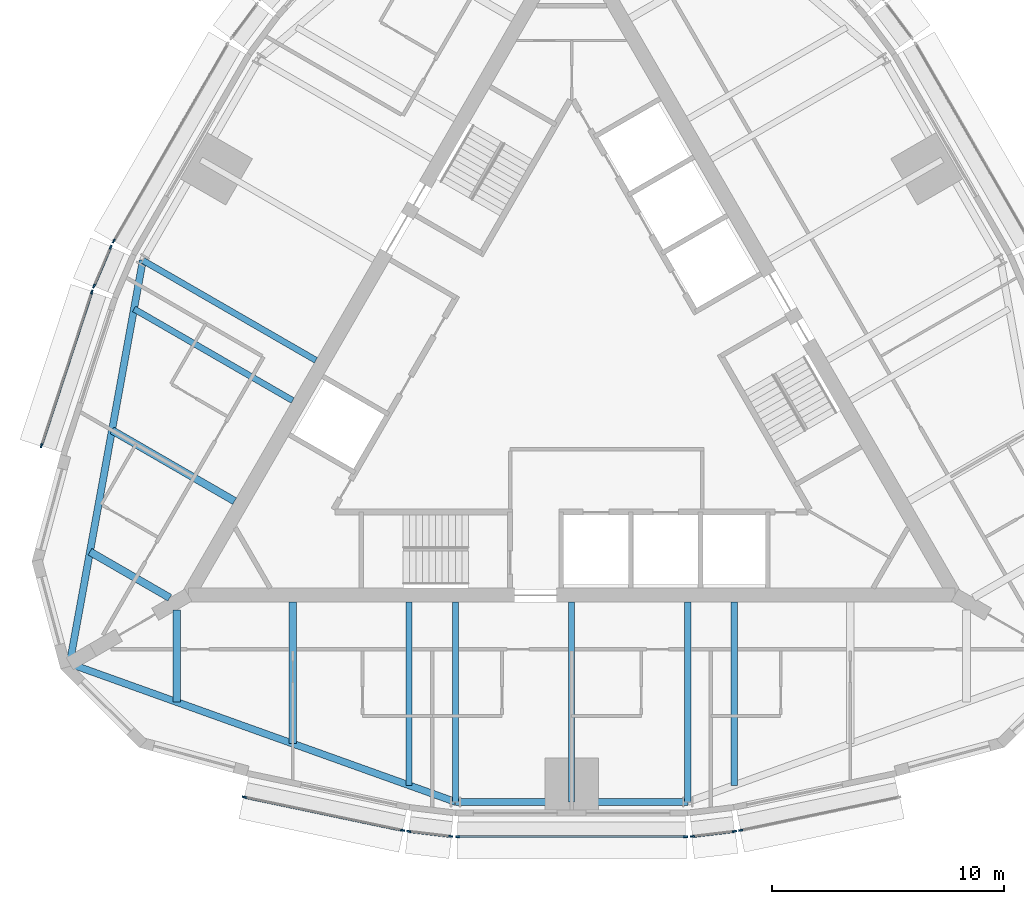
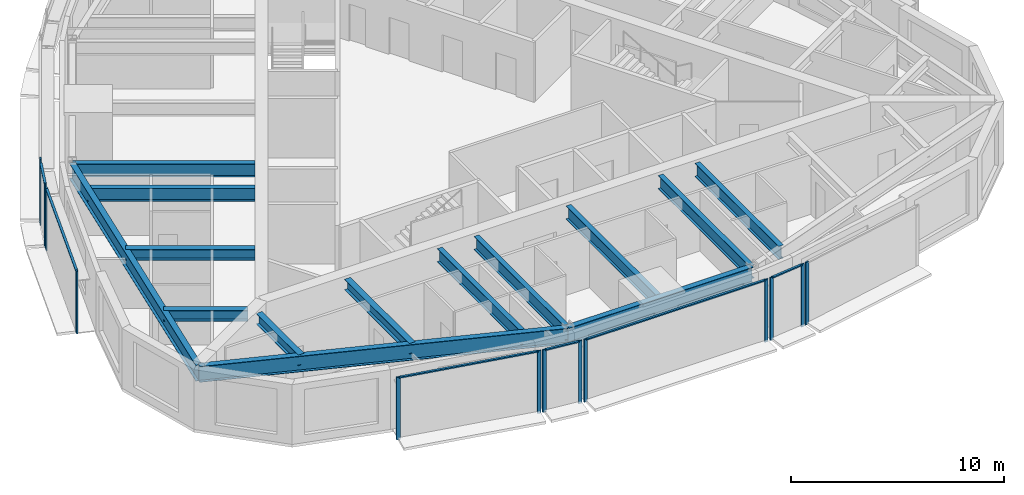
# One storey, part 2 of 12: 20 members, 14 beams, 8 elements without a shape of their own.
"""IFC4 building model written with IfcOpenShell, lengths in metres."""

from ifc_helpers import new_model, si_unit, direction, frame, origin, origin_2d, place, context, subcontext, project, spatial, rectangle, i_section, extrude, material, material_profile, profile_set, type_object, element, aggregate, save


model = new_model("IFC4")

# Units and contexts
model_context = context("Model", 3, precision=1e-05, world=origin(), true_north=direction((0.0, 1.0)))
body_context = subcontext(model_context, "Body", "Model", "MODEL_VIEW")
ifc_project = project(units=[si_unit("LENGTHUNIT", "METRE"), si_unit("AREAUNIT", "SQUARE_METRE"), si_unit("VOLUMEUNIT", "CUBIC_METRE"), si_unit("PLANEANGLEUNIT", "RADIAN"), si_unit("MASSUNIT", "GRAM", prefix="KILO")], contexts=[model_context])

# Site, building, storey
site_placement = place(None, origin())
site = spatial("IfcSite", under=ifc_project, at=site_placement, CompositionType="ELEMENT")
building_placement = place(site_placement, origin())
building = spatial("IfcBuilding", under=site, at=building_placement, Name="Trikona Tower", CompositionType="ELEMENT")
storey_placement = place(building_placement, frame((0.0, 0.0, 268.10009765625)))
storey = spatial("IfcBuildingStorey", under=building, at=storey_placement, Name="L71", CompositionType="ELEMENT", Elevation=268.10009765625)

# Curtain wall, members
ifc_material_1 = material(Name="Aluminium curtain wall system", Category="aluminium")
curtain_wall_type = type_object("IfcCurtainWallType", Name="Curtain wall DS3", PredefinedType="NOTDEFINED", material=ifc_material_1)
curtain_wall_1_placement = place(storey_placement, origin())
curtain_wall_1 = element("IfcCurtainWall", 1, at=curtain_wall_1_placement, inside=storey, type_object=curtain_wall_type, Name="Curtain wall DS3 L71", PredefinedType="NOTDEFINED")
ifc_material_2 = material(Name="Aluminium mullion, pale anodised", Category="aluminium")
ifc_material_profile_1 = material_profile(ifc_material_2, rectangle(XDim=0.070068359375, YDim=0.179931640625, at=origin_2d()), Name="MUL-DS3")
ifc_profile_set_1 = profile_set([ifc_material_profile_1], Name="Aluminium mullion, pale anodised")
member_type_1 = type_object("IfcMemberType", Name="Mullion DS3 70x180", PredefinedType="MULLION", material=ifc_profile_set_1)
member_1_placement = place(storey_placement, frame((-14.092041015625, -18.220703125, 0.0), z_axis=(0.0, 0.0, 1.0), x_axis=(0.205527448396, 0.978651351583, 0.0)))
member_1 = element("IfcMember", 2, at=member_1_placement, type_object=member_type_1, Name="CW-DS3 mullion 1", PredefinedType="MULLION", context=body_context, shape_type="SweptSolid", body=[
    extrude(rectangle(XDim=0.070068359375, YDim=0.179931640625, at=origin_2d()), origin(), (0.0, 0.0, 1.0), 3.599853515625),
])
member_2_placement = place(storey_placement, frame((-7.27783203125, -19.65185546875, 0.0), z_axis=(0.0, 0.0, 1.0), x_axis=(0.205527448396, 0.978651351583, 0.0)))
member_2 = element("IfcMember", 3, at=member_2_placement, type_object=member_type_1, Name="CW-DS3 mullion 2", PredefinedType="MULLION", context=body_context, shape_type="SweptSolid", body=[
    extrude(rectangle(XDim=0.070068359375, YDim=0.179931640625, at=origin_2d()), origin(), (0.0, 0.0, 1.0), 3.599853515625),
])

curtain_wall_2_placement = place(storey_placement, origin())
curtain_wall_2 = element("IfcCurtainWall", 4, at=curtain_wall_2_placement, inside=storey, type_object=curtain_wall_type, Name="Curtain wall DS3 L71", PredefinedType="NOTDEFINED")
member_3_placement = place(storey_placement, frame((-7.012939453125, -19.6953125, 0.0), z_axis=(0.0, 0.0, 1.0), x_axis=(0.119141057581, 0.992877338043, 0.0)))
member_3 = element("IfcMember", 5, at=member_3_placement, type_object=member_type_1, Name="CW-DS3 mullion 1", PredefinedType="MULLION", context=body_context, shape_type="SweptSolid", body=[
    extrude(rectangle(XDim=0.070068359375, YDim=0.179931640625, at=origin_2d()), origin(), (0.0, 0.0, 1.0), 3.599853515625),
])
member_4_placement = place(storey_placement, frame((-5.20166015625, -19.912841796875, 0.0), z_axis=(0.0, 0.0, 1.0), x_axis=(0.119141057581, 0.992877338043, 0.0)))
member_4 = element("IfcMember", 6, at=member_4_placement, type_object=member_type_1, Name="CW-DS3 mullion 2", PredefinedType="MULLION", context=body_context, shape_type="SweptSolid", body=[
    extrude(rectangle(XDim=0.070068359375, YDim=0.179931640625, at=origin_2d()), origin(), (0.0, 0.0, 1.0), 3.599853515625),
])

curtain_wall_3_placement = place(storey_placement, origin())
curtain_wall_3 = element("IfcCurtainWall", 7, at=curtain_wall_3_placement, inside=storey, type_object=curtain_wall_type, Name="Curtain wall DS3 L71", PredefinedType="NOTDEFINED")
member_5_placement = place(storey_placement, frame((-4.905029296875, -19.930419921875, 0.0), z_axis=(0.0, 0.0, 1.0), x_axis=(0.0, 1.0, 0.0)))
member_5 = element("IfcMember", 8, at=member_5_placement, type_object=member_type_1, Name="CW-DS3 mullion 1", PredefinedType="MULLION", context=body_context, shape_type="SweptSolid", body=[
    extrude(rectangle(XDim=0.070068359375, YDim=0.179931640625, at=origin_2d()), origin(), (0.0, 0.0, 1.0), 3.599853515625),
])
member_6_placement = place(storey_placement, frame((4.905029296875, -19.930419921875, 0.0), z_axis=(0.0, 0.0, 1.0), x_axis=(0.0, 1.0, 0.0)))
member_6 = element("IfcMember", 9, at=member_6_placement, type_object=member_type_1, Name="CW-DS3 mullion 2", PredefinedType="MULLION", context=body_context, shape_type="SweptSolid", body=[
    extrude(rectangle(XDim=0.070068359375, YDim=0.179931640625, at=origin_2d()), origin(), (0.0, 0.0, 1.0), 3.599853515625),
])

curtain_wall_4_placement = place(storey_placement, origin())
curtain_wall_4 = element("IfcCurtainWall", 10, at=curtain_wall_4_placement, inside=storey, type_object=curtain_wall_type, Name="Curtain wall DS3 L71", PredefinedType="NOTDEFINED")
member_7_placement = place(storey_placement, frame((5.20166015625, -19.912841796875, 0.0), z_axis=(0.0, 0.0, 1.0), x_axis=(-0.119141057581, 0.992877338043, 0.0)))
member_7 = element("IfcMember", 11, at=member_7_placement, type_object=member_type_1, Name="CW-DS3 mullion 1", PredefinedType="MULLION", context=body_context, shape_type="SweptSolid", body=[
    extrude(rectangle(XDim=0.070068359375, YDim=0.179931640625, at=origin_2d()), origin(), (0.0, 0.0, 1.0), 3.599853515625),
])
member_8_placement = place(storey_placement, frame((7.012939453125, -19.6953125, 0.0), z_axis=(0.0, 0.0, 1.0), x_axis=(-0.119141057581, 0.992877338043, 0.0)))
member_8 = element("IfcMember", 12, at=member_8_placement, type_object=member_type_1, Name="CW-DS3 mullion 2", PredefinedType="MULLION", context=body_context, shape_type="SweptSolid", body=[
    extrude(rectangle(XDim=0.070068359375, YDim=0.179931640625, at=origin_2d()), origin(), (0.0, 0.0, 1.0), 3.599853515625),
])

# Curtain wall, member
curtain_wall_5_placement = place(storey_placement, origin())
curtain_wall_5 = element("IfcCurtainWall", 13, at=curtain_wall_5_placement, inside=storey, type_object=curtain_wall_type, Name="Curtain wall DS3 L71", PredefinedType="NOTDEFINED")
member_9_placement = place(storey_placement, frame((7.27783203125, -19.65185546875, 0.0), z_axis=(0.0, 0.0, 1.0), x_axis=(-0.205527448396, 0.978651351583, 0.0)))
member_9 = element("IfcMember", 14, at=member_9_placement, type_object=member_type_1, Name="CW-DS3 mullion 1", PredefinedType="MULLION", context=body_context, shape_type="SweptSolid", body=[
    extrude(rectangle(XDim=0.070068359375, YDim=0.179931640625, at=origin_2d()), origin(), (0.0, 0.0, 1.0), 3.599853515625),
])
aggregate(curtain_wall_5, [member_9])

curtain_wall_6_placement = place(storey_placement, origin())
curtain_wall_6 = element("IfcCurtainWall", 15, at=curtain_wall_6_placement, inside=storey, type_object=curtain_wall_type, Name="Curtain wall DS3 L71", PredefinedType="NOTDEFINED")
member_10_placement = place(storey_placement, frame((-19.712890625, 5.717529296875, 0.0), z_axis=(0.0, 0.0, 1.0), x_axis=(0.866024619633, -0.500001358187, 0.0)))
member_10 = element("IfcMember", 16, at=member_10_placement, type_object=member_type_1, Name="CW-DS3 mullion 2", PredefinedType="MULLION", context=body_context, shape_type="SweptSolid", body=[
    extrude(rectangle(XDim=0.070068359375, YDim=0.179931640625, at=origin_2d()), origin(), (0.0, 0.0, 1.0), 3.599853515625),
])
aggregate(curtain_wall_6, [member_10])

# Curtain wall, members
curtain_wall_7_placement = place(storey_placement, origin())
curtain_wall_7 = element("IfcCurtainWall", 17, at=curtain_wall_7_placement, inside=storey, type_object=curtain_wall_type, Name="Curtain wall DS3 L71", PredefinedType="NOTDEFINED")
member_11_placement = place(storey_placement, frame((-19.845703125, 5.45166015625, 0.0), z_axis=(0.0, 0.0, 1.0), x_axis=(0.919420580163, -0.393275726143, 0.0)))
member_11 = element("IfcMember", 18, at=member_11_placement, type_object=member_type_1, Name="CW-DS3 mullion 1", PredefinedType="MULLION", context=body_context, shape_type="SweptSolid", body=[
    extrude(rectangle(XDim=0.070068359375, YDim=0.179931640625, at=origin_2d()), origin(), (0.0, 0.0, 1.0), 3.599853515625),
])
member_12_placement = place(storey_placement, frame((-20.563232421875, 3.7744140625, 0.0), z_axis=(0.0, 0.0, 1.0), x_axis=(0.919420580163, -0.393275726143, 0.0)))
member_12 = element("IfcMember", 19, at=member_12_placement, type_object=member_type_1, Name="CW-DS3 mullion 2", PredefinedType="MULLION", context=body_context, shape_type="SweptSolid", body=[
    extrude(rectangle(XDim=0.070068359375, YDim=0.179931640625, at=origin_2d()), origin(), (0.0, 0.0, 1.0), 3.599853515625),
])

curtain_wall_8_placement = place(storey_placement, origin())
curtain_wall_8 = element("IfcCurtainWall", 20, at=curtain_wall_8_placement, inside=storey, type_object=curtain_wall_type, Name="Curtain wall DS3 L71", PredefinedType="NOTDEFINED")
member_13_placement = place(storey_placement, frame((-20.657958984375, 3.52294921875, 0.0), z_axis=(0.0, 0.0, 1.0), x_axis=(0.95029742275, -0.311343553515, 0.0)))
member_13 = element("IfcMember", 21, at=member_13_placement, type_object=member_type_1, Name="CW-DS3 mullion 1", PredefinedType="MULLION", context=body_context, shape_type="SweptSolid", body=[
    extrude(rectangle(XDim=0.070068359375, YDim=0.179931640625, at=origin_2d()), origin(), (0.0, 0.0, 1.0), 3.599853515625),
])
member_14_placement = place(storey_placement, frame((-22.82568359375, -3.09375, 0.0), z_axis=(0.0, 0.0, 1.0), x_axis=(0.95029742275, -0.311343553515, 0.0)))
member_14 = element("IfcMember", 22, at=member_14_placement, type_object=member_type_1, Name="CW-DS3 mullion 2", PredefinedType="MULLION", context=body_context, shape_type="SweptSolid", body=[
    extrude(rectangle(XDim=0.070068359375, YDim=0.179931640625, at=origin_2d()), origin(), (0.0, 0.0, 1.0), 3.599853515625),
])

# Beams
ifc_material_3 = material(Name="Steel ASTM A992 Grade 50", Category="steel")
ifc_material_profile_2 = material_profile(ifc_material_3, i_section(OverallWidth=0.3251953125, OverallDepth=0.612060546875, WebThickness=0.0126953125, FlangeThickness=0.01904296875, at=origin_2d()), Name="W24X104")
ifc_profile_set_2 = profile_set([ifc_material_profile_2], Name="Steel ASTM A992 Grade 50")
beam_type_1 = type_object("IfcBeamType", Name="Steel beam W24x104 (wedge upper)", PredefinedType="BEAM", material=ifc_profile_set_2)
beam_1_placement = place(storey_placement, frame((-17.0, -10.161376953125, 3.12890625), z_axis=(0.0, -1.0, 0.0), x_axis=(1.0, 0.0, 0.0)))
element("IfcBeam", 23, at=beam_1_placement, inside=storey, type_object=beam_type_1, Name="Floor beam L72 F1 u-17", PredefinedType="BEAM", context=body_context, shape_type="SweptSolid", body=[
    extrude(i_section(OverallWidth=0.3251953125, OverallDepth=0.612060546875, WebThickness=0.0126953125, FlangeThickness=0.01904296875, at=origin_2d()), origin(), (0.0, 0.0, 1.0), 3.9677734375),
])
beam_2_placement = place(storey_placement, frame((-12.0, -9.826416015625, 3.12890625), z_axis=(0.0, -1.0, 0.0), x_axis=(1.0, 0.0, 0.0)))
element("IfcBeam", 24, at=beam_2_placement, inside=storey, type_object=beam_type_1, Name="Floor beam L72 F1 u-12", PredefinedType="BEAM", context=body_context, shape_type="SweptSolid", body=[
    extrude(i_section(OverallWidth=0.3251953125, OverallDepth=0.612060546875, WebThickness=0.0126953125, FlangeThickness=0.01904296875, at=origin_2d()), origin(), (0.0, 0.0, 1.0), 6.094970703125),
])
beam_3_placement = place(storey_placement, frame((-14.509765625, -5.479248046875, 3.12890625), z_axis=(-0.866023498866, 0.500003299401, 0.0), x_axis=(-0.500003299401, -0.866023498866, 0.0)))
element("IfcBeam", 25, at=beam_3_placement, inside=storey, type_object=beam_type_1, Name="Floor beam L72 F3 u12", PredefinedType="BEAM", context=body_context, shape_type="SweptSolid", body=[
    extrude(i_section(OverallWidth=0.3251953125, OverallDepth=0.612060546875, WebThickness=0.0126953125, FlangeThickness=0.01904296875, at=origin_2d()), origin(), (0.0, 0.0, 1.0), 6.09521484375),
])
beam_4_placement = place(storey_placement, frame((-17.300048828125, -9.6416015625, 3.12890625), z_axis=(-0.866030866614, 0.499990537983, 0.0), x_axis=(-0.499990537983, -0.866030866614, 0.0)))
element("IfcBeam", 26, at=beam_4_placement, inside=storey, type_object=beam_type_1, Name="Floor beam L72 F3 u17", PredefinedType="BEAM", context=body_context, shape_type="SweptSolid", body=[
    extrude(i_section(OverallWidth=0.3251953125, OverallDepth=0.612060546875, WebThickness=0.0126953125, FlangeThickness=0.01904296875, at=origin_2d()), origin(), (0.0, 0.0, 1.0), 3.9677734375),
])
ifc_material_4 = material(Name="Steel ASTM A992 Grade 50", Category="steel")
ifc_material_profile_3 = material_profile(ifc_material_4, i_section(OverallWidth=0.2666015625, OverallDepth=0.7568359375, WebThickness=0.013916015625, FlangeThickness=0.019287109375, at=origin_2d()), Name="W30X108")
ifc_profile_set_3 = profile_set([ifc_material_profile_3], Name="Steel ASTM A992 Grade 50")
beam_type_2 = type_object("IfcBeamType", Name="Steel beam W30x108 (radial upper)", PredefinedType="BEAM", material=ifc_profile_set_3)
beam_5_placement = place(storey_placement, frame((-7.0, -9.826416015625, 3.056396484375), z_axis=(0.0, -1.0, 0.0), x_axis=(1.0, 0.0, 0.0)))
element("IfcBeam", 27, at=beam_5_placement, inside=storey, type_object=beam_type_2, Name="Floor beam L72 F1 u-7", PredefinedType="BEAM", context=body_context, shape_type="SweptSolid", body=[
    extrude(i_section(OverallWidth=0.2666015625, OverallDepth=0.7568359375, WebThickness=0.013916015625, FlangeThickness=0.019287109375, at=origin_2d()), origin(), (0.0, 0.0, 1.0), 7.88720703125),
])
for number, where, z_axis, x_axis, name in (
    (28, (-5.0, -9.826416015625, 3.056396484375), (0.0, -1.0, 0.0), (1.0, 0.0, 0.0), "Floor beam L72 F1 u-5"),
    (29, (0.0, -9.826416015625, 3.056396484375), (0.0, -1.0, 0.0), (1.0, 0.0, 0.0), "Floor beam L72 F1 u0"),
    (30, (5.0, -9.826416015625, 3.056396484375), (0.0, -1.0, 0.0), (1.0, 0.0, 0.0), "Floor beam L72 F1 u5"),
):
    element("IfcBeam", number, at=place(storey_placement, frame(where, z_axis=z_axis, x_axis=x_axis)), inside=storey, type_object=beam_type_2, Name=name, PredefinedType="BEAM", context=body_context, shape_type="SweptSolid", body=[
        extrude(i_section(OverallWidth=0.2666015625, OverallDepth=0.7568359375, WebThickness=0.013916015625, FlangeThickness=0.019287109375, at=origin_2d()), origin(), (0.0, 0.0, 1.0), 8.60400390625),
    ])
beam_6_placement = place(storey_placement, frame((7.0, -9.826416015625, 3.056396484375), z_axis=(0.0, -1.0, 0.0), x_axis=(1.0, 0.0, 0.0)))
element("IfcBeam", 31, at=beam_6_placement, inside=storey, type_object=beam_type_2, Name="Floor beam L72 F1 u7", PredefinedType="BEAM", context=body_context, shape_type="SweptSolid", body=[
    extrude(i_section(OverallWidth=0.2666015625, OverallDepth=0.7568359375, WebThickness=0.013916015625, FlangeThickness=0.019287109375, at=origin_2d()), origin(), (0.0, 0.0, 1.0), 7.88720703125),
])
beam_7_placement = place(storey_placement, frame((-11.009765625, 0.5830078125, 3.056396484375), z_axis=(-0.866029182723, 0.49999345463, 0.0), x_axis=(-0.49999345463, -0.866029182723, 0.0)))
element("IfcBeam", 32, at=beam_7_placement, inside=storey, type_object=beam_type_2, Name="Floor beam L72 F3 u5", PredefinedType="BEAM", context=body_context, shape_type="SweptSolid", body=[
    extrude(i_section(OverallWidth=0.2666015625, OverallDepth=0.7568359375, WebThickness=0.013916015625, FlangeThickness=0.019287109375, at=origin_2d()), origin(), (0.0, 0.0, 1.0), 8.60400390625),
])
beam_8_placement = place(storey_placement, frame((-12.009765625, -1.14892578125, 3.056396484375), z_axis=(-0.866034560358, 0.499984140014, 0.0), x_axis=(-0.499984140014, -0.866034560358, 0.0)))
element("IfcBeam", 33, at=beam_8_placement, inside=storey, type_object=beam_type_2, Name="Floor beam L72 F3 u7", PredefinedType="BEAM", context=body_context, shape_type="SweptSolid", body=[
    extrude(i_section(OverallWidth=0.2666015625, OverallDepth=0.7568359375, WebThickness=0.013916015625, FlangeThickness=0.019287109375, at=origin_2d()), origin(), (0.0, 0.0, 1.0), 7.887451171875),
])
ifc_material_5 = material(Name="Steel ASTM A992 Grade 50", Category="steel")
ifc_material_profile_4 = material_profile(ifc_material_5, i_section(OverallWidth=0.3046875, OverallDepth=0.911865234375, WebThickness=0.015869140625, FlangeThickness=0.02392578125, at=origin_2d()), Name="W36X150")
ifc_profile_set_4 = profile_set([ifc_material_profile_4], Name="Steel ASTM A992 Grade 50")
beam_type_3 = type_object("IfcBeamType", Name="Steel beam W36x150 (spandrel upper)", PredefinedType="SPANDREL", material=ifc_profile_set_4)
beam_9_placement = place(storey_placement, frame((-21.6103515625, -12.476806640625, 2.97900390625), z_axis=(0.941358144832, -0.337409014637, 0.0), x_axis=(0.337409014637, 0.941358144832, 0.0)))
element("IfcBeam", 34, at=beam_9_placement, inside=storey, type_object=beam_type_3, Name="Spandrel beam L72 F1-1", PredefinedType="SPANDREL", context=body_context, shape_type="SweptSolid", body=[
    extrude(i_section(OverallWidth=0.3046875, OverallDepth=0.911865234375, WebThickness=0.015869140625, FlangeThickness=0.02392578125, at=origin_2d()), origin(), (0.0, 0.0, 1.0), 17.64501953125),
])
beam_10_placement = place(storey_placement, frame((-5.0, -18.430419921875, 2.97900390625), z_axis=(1.0, 0.0, 0.0), x_axis=(0.0, 1.0, 0.0)))
element("IfcBeam", 35, at=beam_10_placement, inside=storey, type_object=beam_type_3, Name="Spandrel beam L72 F1-2", PredefinedType="SPANDREL", context=body_context, shape_type="SweptSolid", body=[
    extrude(i_section(OverallWidth=0.3046875, OverallDepth=0.911865234375, WebThickness=0.015869140625, FlangeThickness=0.02392578125, at=origin_2d()), origin(), (0.0, 0.0, 1.0), 10.0),
])
beam_11_placement = place(storey_placement, frame((-18.461181640625, 4.885009765625, 2.97900390625), z_axis=(-0.178472662054, -0.983944870864, 0.0), x_axis=(0.983944870864, -0.178472662054, 0.0)))
element("IfcBeam", 36, at=beam_11_placement, inside=storey, type_object=beam_type_3, Name="Spandrel beam L72 F3-3", PredefinedType="SPANDREL", context=body_context, shape_type="SweptSolid", body=[
    extrude(i_section(OverallWidth=0.3046875, OverallDepth=0.911865234375, WebThickness=0.015869140625, FlangeThickness=0.02392578125, at=origin_2d()), origin(), (0.0, 0.0, 1.0), 17.64501953125),
])

# Member
ifc_material_6 = material(Name="Aluminium transom, pale anodised", Category="aluminium")
ifc_material_profile_5 = material_profile(ifc_material_6, rectangle(XDim=0.1201171875, YDim=0.070068359375, at=origin_2d()), Name="TRN-DS3")
ifc_profile_set_5 = profile_set([ifc_material_profile_5], Name="Aluminium transom, pale anodised")
member_type_2 = type_object("IfcMemberType", Name="Transom DS3 70x120", PredefinedType="USERDEFINED", material=ifc_profile_set_5)
member_15_placement = place(storey_placement, frame((-14.0576171875, -18.22802734375, 3.56494140625), z_axis=(0.978654137783, -0.205514181021, 0.0), x_axis=(0.205514181021, 0.978654137783, 0.0)))
member_15 = element("IfcMember", 37, at=member_15_placement, type_object=member_type_2, Name="CW-DS3 transom 1.1", ObjectType="TRANSOM", PredefinedType="USERDEFINED", context=body_context, shape_type="SweptSolid", body=[
    extrude(rectangle(XDim=0.1201171875, YDim=0.070068359375, at=origin_2d()), origin(), (0.0, 0.0, 1.0), 6.892578125),
])

aggregate(curtain_wall_1, [member_1, member_2, member_15])

member_16_placement = place(storey_placement, frame((-6.978271484375, -19.699462890625, 3.56494140625), z_axis=(0.992880130449, -0.119117784396, 0.0), x_axis=(0.119117784396, 0.992880130449, 0.0)))
member_16 = element("IfcMember", 38, at=member_16_placement, type_object=member_type_2, Name="CW-DS3 transom 1.1", ObjectType="TRANSOM", PredefinedType="USERDEFINED", context=body_context, shape_type="SweptSolid", body=[
    extrude(rectangle(XDim=0.1201171875, YDim=0.070068359375, at=origin_2d()), origin(), (0.0, 0.0, 1.0), 1.75439453125),
])

aggregate(curtain_wall_2, [member_3, member_4, member_16])

member_17_placement = place(storey_placement, frame((-4.8701171875, -19.930419921875, 3.56494140625), z_axis=(1.0, 0.0, 0.0), x_axis=(0.0, 1.0, 0.0)))
member_17 = element("IfcMember", 39, at=member_17_placement, type_object=member_type_2, Name="CW-DS3 transom 1.1", ObjectType="TRANSOM", PredefinedType="USERDEFINED", context=body_context, shape_type="SweptSolid", body=[
    extrude(rectangle(XDim=0.1201171875, YDim=0.070068359375, at=origin_2d()), origin(), (0.0, 0.0, 1.0), 9.740234375),
])

aggregate(curtain_wall_3, [member_5, member_6, member_17])

member_18_placement = place(storey_placement, frame((5.236328125, -19.908447265625, 3.56494140625), z_axis=(0.992880130449, 0.119117784396, 0.0), x_axis=(-0.119117784396, 0.992880130449, 0.0)))
member_18 = element("IfcMember", 40, at=member_18_placement, type_object=member_type_2, Name="CW-DS3 transom 1.1", ObjectType="TRANSOM", PredefinedType="USERDEFINED", context=body_context, shape_type="SweptSolid", body=[
    extrude(rectangle(XDim=0.1201171875, YDim=0.070068359375, at=origin_2d()), origin(), (0.0, 0.0, 1.0), 1.75439453125),
])

aggregate(curtain_wall_4, [member_7, member_8, member_18])

member_19_placement = place(storey_placement, frame((-19.859619140625, 5.41943359375, 3.56494140625), z_axis=(-0.393314512783, -0.919403988481, 0.0), x_axis=(0.919403988481, -0.393314512783, 0.0)))
member_19 = element("IfcMember", 41, at=member_19_placement, type_object=member_type_2, Name="CW-DS3 transom 1.1", ObjectType="TRANSOM", PredefinedType="USERDEFINED", context=body_context, shape_type="SweptSolid", body=[
    extrude(rectangle(XDim=0.1201171875, YDim=0.070068359375, at=origin_2d()), origin(), (0.0, 0.0, 1.0), 1.754150390625),
])

aggregate(curtain_wall_7, [member_11, member_12, member_19])

member_20_placement = place(storey_placement, frame((-20.668701171875, 3.48974609375, 3.56494140625), z_axis=(-0.311346184, -0.950296560926, 0.0), x_axis=(0.950296560926, -0.311346184, 0.0)))
member_20 = element("IfcMember", 42, at=member_20_placement, type_object=member_type_2, Name="CW-DS3 transom 1.1", ObjectType="TRANSOM", PredefinedType="USERDEFINED", context=body_context, shape_type="SweptSolid", body=[
    extrude(rectangle(XDim=0.1201171875, YDim=0.070068359375, at=origin_2d()), origin(), (0.0, 0.0, 1.0), 6.892578125),
])

aggregate(curtain_wall_8, [member_13, member_14, member_20])

save(model, "model.ifc")
